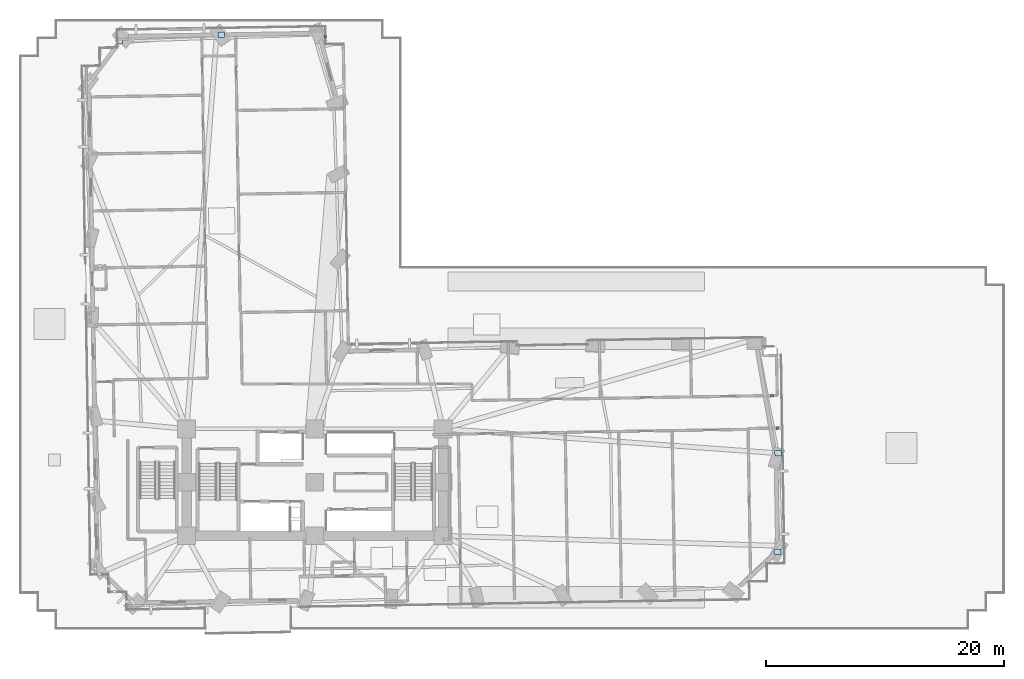
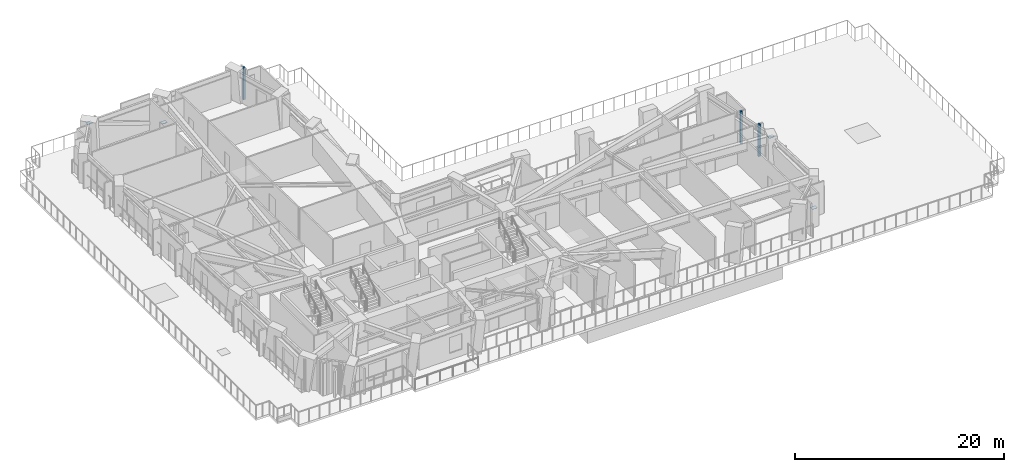
# One storey, part 5 of 17: 7 plates.
"""IFC4 building model written with IfcOpenShell, lengths in metres."""

from ifc_helpers import new_model, si_unit, direction, frame, origin, origin_2d, place, context, subcontext, project, spatial, rectangle, extrude, material, layer, layer_set, type_object, element, save


model = new_model("IFC4")

# Units and contexts
model_context = context("Model", 3, precision=1e-05, world=origin(), true_north=direction((0.0, 1.0)))
body_context = subcontext(model_context, "Body", "Model", "MODEL_VIEW")
ifc_project = project(units=[si_unit("LENGTHUNIT", "METRE"), si_unit("AREAUNIT", "SQUARE_METRE"), si_unit("VOLUMEUNIT", "CUBIC_METRE"), si_unit("PLANEANGLEUNIT", "RADIAN"), si_unit("MASSUNIT", "GRAM", prefix="KILO")], contexts=[model_context])

# Site, building, storey
site_placement = place(None, origin())
site = spatial("IfcSite", under=ifc_project, at=site_placement, CompositionType="ELEMENT")
building_placement = place(site_placement, origin())
building = spatial("IfcBuilding", under=site, at=building_placement, Name="Gaonmaruhae Medical Tower", CompositionType="ELEMENT")
storey_placement = place(building_placement, frame((0.0, 0.0, 27.0)))
storey = spatial("IfcBuildingStorey", under=building, at=storey_placement, Name="L05", CompositionType="ELEMENT", Elevation=27.0)

# Plates
ifc_material_1 = material(Name="Steel HSA650 (650 MPa)", Category="steel")
ifc_layer_1 = layer(ifc_material_1, 0.028076171875)
ifc_layer_set_1 = layer_set([ifc_layer_1], Name="Steel HSA650 (650 MPa)")
plate_type_1 = type_object("IfcPlateType", Name="GP-02 Tube Brace End Cap Gusset Plate", PredefinedType="USERDEFINED", material=ifc_layer_set_1)
for number, where, z_axis, x_axis, name in (
    (1, (63.758544921875, 6.447509765625, 0.23583984375), (0.0, 0.0, 1.0), (0.999862544538, 0.016579868188, 0.0), "L05 Gusset Cap Plate PLT-L05-PBR-E01A"),
    (2, (63.800048828125, 14.745849609375, 3.51611328125), (0.0, 0.0, 1.0), (0.999450215942, 0.033155178389, 0.0), "L05 Gusset Cap Plate PLT-L05-PBR-E01B"),
    (3, (16.93017578125, 49.97705078125, 0.23583984375), (0.0, 0.0, 1.0), (0.999862544538, 0.016579868188, 0.0), "L05 Gusset Cap Plate PLT-L05-PBR-N02A"),
    (4, (8.319580078125, 49.42529296875, 3.51611328125), (0.0, 0.0, 1.0), (0.999450215942, 0.033155178389, 0.0), "L05 Gusset Cap Plate PLT-L05-PBR-N02B"),
):
    element("IfcPlate", number, at=place(storey_placement, frame(where, z_axis=z_axis, x_axis=x_axis)), inside=storey, type_object=plate_type_1, Name=name, ObjectType="GUSSET_PLATE", PredefinedType="USERDEFINED", context=body_context, shape_type="SweptSolid", body=[
        extrude(rectangle(XDim=0.56005859375, YDim=0.43994140625, at=origin_2d()), origin(), (0.0, 0.0, 1.0), 0.028076171875),
    ])
ifc_material_2 = material(Name="Anodised aluminium 6063-T6", Category="aluminium")
ifc_layer_2 = layer(ifc_material_2, 0.011962890625)
ifc_layer_set_2 = layer_set([ifc_layer_2], Name="Anodised aluminium 6063-T6")
plate_type_2 = type_object("IfcPlateType", Name="PP-01 Interior Partition Corner Stiffener Plate", PredefinedType="SHEET", material=ifc_layer_set_2)
for number, where, z_axis, x_axis, name in (
    (5, (63.2890625, 19.6015625, 0.0), (0.0, 0.0, 1.0), (-0.999855511862, -0.016998688164, 0.0), "L05 Partition Corner Stiffener Plate PLT-L05-JGP-PW091"),
    (6, (25.6845703125, 49.803955078125, 0.0), (0.0, 0.0, 1.0), (0.016370457104, -0.999865995088, 0.0), "L05 Partition Corner Stiffener Plate PLT-L05-JGP-PW103"),
    (7, (63.7265625, 16.867919921875, 0.0), (0.0, 0.0, 1.0), (0.999854024639, 0.017085941953, 0.0), "L05 Partition Corner Stiffener Plate PLT-L05-JGP-PW110"),
):
    element("IfcPlate", number, at=place(storey_placement, frame(where, z_axis=z_axis, x_axis=x_axis)), inside=storey, type_object=plate_type_2, Name=name, PredefinedType="SHEET", context=body_context, shape_type="SweptSolid", body=[
        extrude(rectangle(XDim=0.219970703125, YDim=0.219970703125, at=origin_2d()), origin(), (0.0, 0.0, 1.0), 3.780029296875),
    ])

save(model, "model.ifc")
